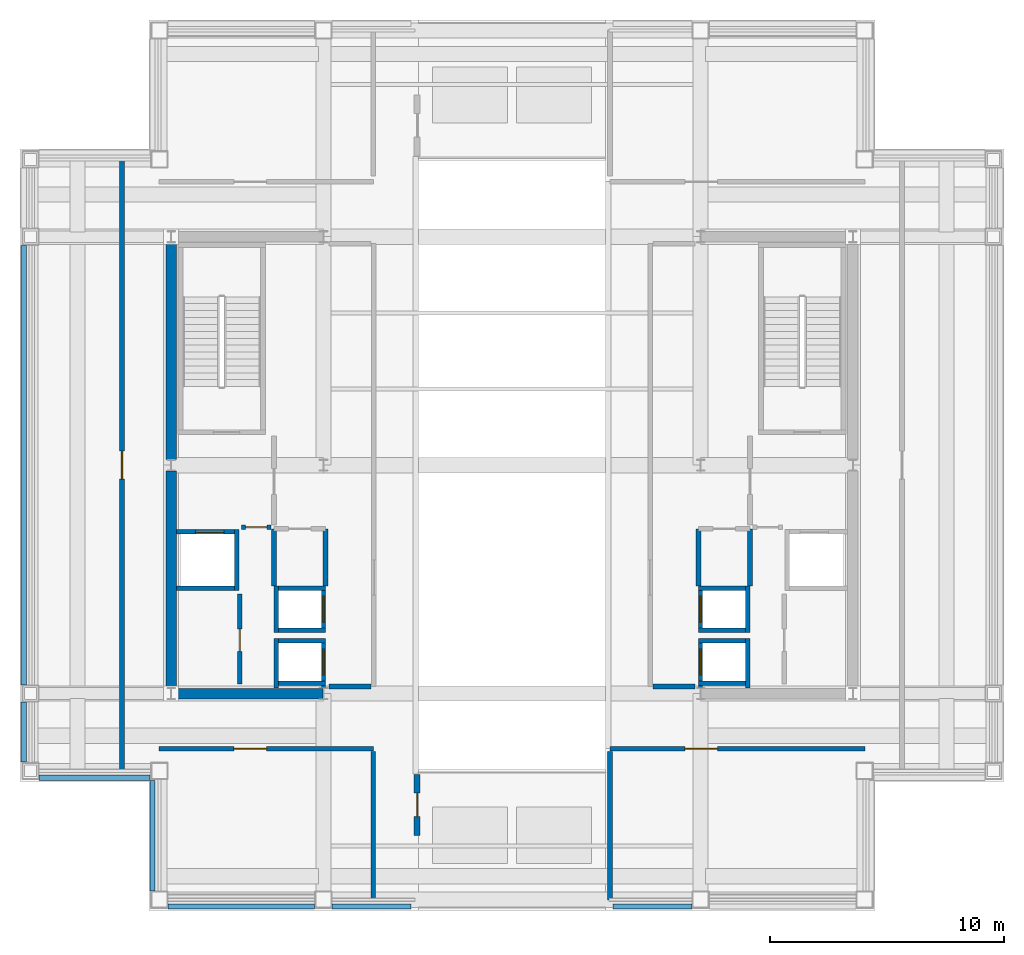
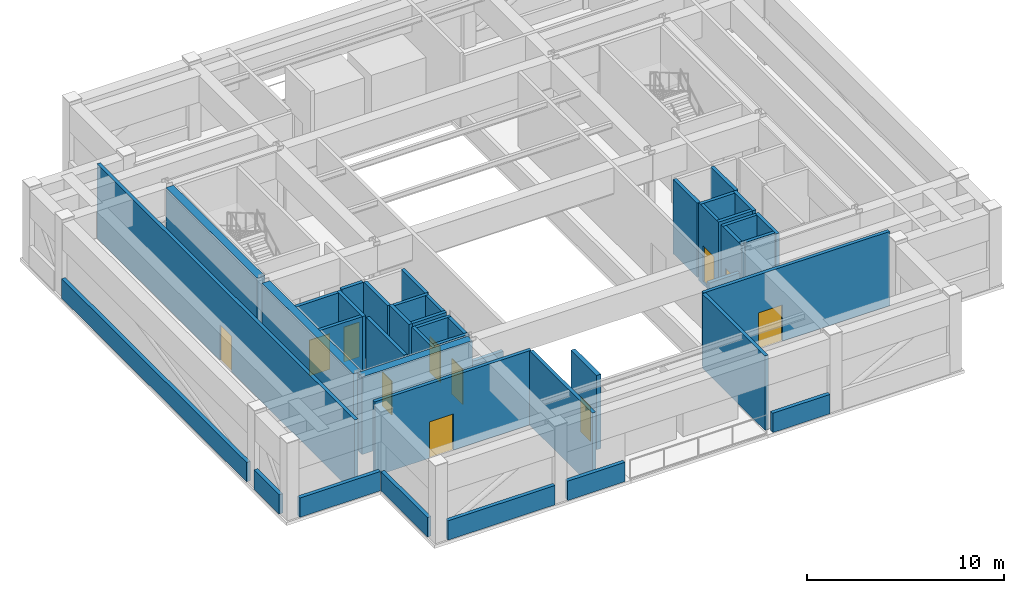
# One storey, part 3 of 8: 43 walls, 11 doors, 11 openings.
"""IFC4 building model written with IfcOpenShell, lengths in metres."""

from ifc_helpers import new_model, si_unit, direction, frame, frame_2d, origin, place, context, subcontext, project, spatial, rectangle, extrude, material, layer, layer_set, type_object, element, fill, save


model = new_model("IFC4")

# Units and contexts
model_context = context("Model", 3, precision=1e-05, world=origin(), true_north=direction((0.0, 1.0)))
body_context = subcontext(model_context, "Body", "Model", "MODEL_VIEW")
ifc_project = project(units=[si_unit("LENGTHUNIT", "METRE"), si_unit("AREAUNIT", "SQUARE_METRE"), si_unit("VOLUMEUNIT", "CUBIC_METRE"), si_unit("PLANEANGLEUNIT", "RADIAN"), si_unit("MASSUNIT", "GRAM", prefix="KILO")], contexts=[model_context])

# Site, building, storey
site_placement = place(None, origin())
site = spatial("IfcSite", under=ifc_project, at=site_placement, CompositionType="ELEMENT")
building_placement = place(site_placement, origin())
building = spatial("IfcBuilding", under=site, at=building_placement, Name="Brelmoor Portico Tower", CompositionType="ELEMENT")
storey_placement = place(building_placement, frame((0.0, 0.0, 209.10009765625)))
storey = spatial("IfcBuildingStorey", under=building, at=storey_placement, Name="L55", CompositionType="ELEMENT", Elevation=209.10009765625)

# Walls
ifc_material_1 = material(Name="Concrete C50", Category="concrete")
ifc_layer_1 = layer(ifc_material_1, 0.449951171875)
ifc_layer_set_1 = layer_set([ifc_layer_1], Name="Concrete C50")
wall_type_1 = type_object("IfcWallType", Name="WL-CORE-450", PredefinedType="SHEAR", material=ifc_layer_set_1)
wall_1_placement = place(storey_placement, frame((-14.530029296875, -9.75, -0.2001953125), z_axis=(0.0, 0.0, 1.0), x_axis=(1.0, 0.0, 0.0)))
element("IfcWall", 1, at=wall_1_placement, inside=storey, type_object=wall_type_1, Name="L55 WC South Shear Wall", PredefinedType="SHEAR", context=body_context, shape_type="SweptSolid", body=[
    extrude(rectangle(XDim=6.4599609375, YDim=0.449951171875, at=frame_2d((3.22998046875, 0.0))), origin(), (0.0, 0.0, 1.0), 4.800048828125),
])
for number, where, z_axis, x_axis, name in (
    (2, (-14.550048828125, -9.5, -0.2001953125), (0.0, 0.0, 1.0), (0.0, 1.0, 0.0), "L55 WC Outer South Shear Wall"),
    (3, (-14.550048828125, 0.25, -0.2001953125), (0.0, 0.0, 1.0), (0.0, 1.0, 0.0), "L55 WC Outer North Shear Wall"),
):
    element("IfcWall", number, at=place(storey_placement, frame(where, z_axis=z_axis, x_axis=x_axis)), inside=storey, type_object=wall_type_1, Name=name, PredefinedType="SHEAR", context=body_context, shape_type="SweptSolid", body=[
        extrude(rectangle(XDim=9.25, YDim=0.449951171875, at=frame_2d((4.625, 0.0))), origin(), (0.0, 0.0, 1.0), 4.800048828125),
    ])

# Wall, opening, door
ifc_material_2 = material(Name="Precast Concrete C40 Insulated Facade Wall", Category="concrete")
ifc_layer_2 = layer(ifc_material_2, 0.25)
ifc_layer_set_2 = layer_set([ifc_layer_2], Name="Precast Concrete C40 Insulated Facade Wall")
wall_type_2 = type_object("IfcWallType", Name="WL-EXT-250", PredefinedType="STANDARD", material=ifc_layer_set_2)
wall_2_placement = place(storey_placement, frame((-4.050048828125, -15.800048828125, 0.0), z_axis=(0.0, 0.0, 1.0), x_axis=(0.0, 1.0, 0.0)))
wall_2 = element("IfcWall", 4, at=wall_2_placement, inside=storey, type_object=wall_type_2, Name="L55 Turbine Deck Access Wall S", PredefinedType="STANDARD", context=body_context, shape_type="SweptSolid", body=[
    extrude(rectangle(XDim=2.60009765625, YDim=0.25, at=frame_2d((1.300048828125, 0.0))), origin(), (0.0, 0.0, 1.0), 4.599853515625),
])
opening_1_placement = place(wall_2_placement, frame((0.800048828125, 0.0, 0.0)))
opening_1 = element("IfcOpeningElement", 5, at=opening_1_placement, cuts=wall_2, Name="Opening D-DM1", PredefinedType="OPENING", context=body_context, shape_type="SweptSolid", body=[
    extrude(rectangle(XDim=1.0, YDim=2.14990234375, at=frame_2d((0.5, 1.074951171875))), frame((0.0, 0.135009765625, 0.0), z_axis=(0.0, -1.0, 0.0), x_axis=(1.0, 0.0, 0.0)), (0.0, 0.0, 1.0), 0.27001953125),
])
ifc_material_3 = material(Name="Weatherproof Galvanised Steel Deck Access Door", Category="steel")
door_type_1 = type_object("IfcDoorType", Name="DR-DECK-MAINT-1000", OperationType="NOTDEFINED", PredefinedType="DOOR", material=ifc_material_3)
door_1_placement = place(opening_1_placement, origin())
door_1 = element("IfcDoor", 6, at=door_1_placement, inside=storey, type_object=door_type_1, Name="D-2317 L55 Wind-Turbine Deck Maintenance Door S", OperationType="SINGLE_SWING_LEFT", OverallHeight=2.14990234375, OverallWidth=1.0, PredefinedType="DOOR", context=body_context, shape_type="SweptSolid", body=[
    extrude(rectangle(XDim=1.0, YDim=2.14990234375, at=frame_2d((0.5, 1.074951171875))), frame((0.0, 0.02490234375, 0.0), z_axis=(0.0, -1.0, 0.0), x_axis=(1.0, 0.0, 0.0)), (0.0, 0.0, 1.0), 0.050048828125),
])
fill(opening_1, door_1)

# Walls
ifc_material_4 = material(Name="Concrete C40 Parapet Upstand", Category="concrete")
ifc_layer_3 = layer(ifc_material_4, 0.219970703125)
ifc_layer_set_3 = layer_set([ifc_layer_3], Name="Concrete C40 Parapet Upstand")
wall_type_3 = type_object("IfcWallType", Name="WL-PARAPET-220", PredefinedType="PARAPET", material=ifc_layer_set_3)
wall_3_placement = place(storey_placement, frame((-14.679931640625, -18.840087890625, 0.0), z_axis=(0.0, 0.0, 1.0), x_axis=(1.0, 0.0, 0.0)))
element("IfcWall", 7, at=wall_3_placement, inside=storey, type_object=wall_type_3, Name="L55 Plant Louvre Perimeter Upstand 01", PredefinedType="PARAPET", context=body_context, shape_type="SweptSolid", body=[
    extrude(rectangle(XDim=6.260009765625, YDim=0.219970703125, at=frame_2d((3.1298828125, 0.0))), origin(), (0.0, 0.0, 1.0), 1.199951171875),
])
for number, where, z_axis, x_axis, name in (
    (8, (-7.679931640625, -18.840087890625, 0.0), (0.0, 0.0, 1.0), (1.0, 0.0, 0.0), "L55 Plant Louvre Perimeter Upstand 02"),
    (9, (4.320068359375, -18.840087890625, 0.0), (0.0, 0.0, 1.0), (1.0, 0.0, 0.0), "L55 Plant Louvre Perimeter Upstand 03"),
):
    element("IfcWall", number, at=place(storey_placement, frame(where, z_axis=z_axis, x_axis=x_axis)), inside=storey, type_object=wall_type_3, Name=name, PredefinedType="PARAPET", context=body_context, shape_type="SweptSolid", body=[
        extrude(rectangle(XDim=3.35986328125, YDim=0.219970703125, at=frame_2d((1.679931640625, 0.0))), origin(), (0.0, 0.0, 1.0), 1.199951171875),
    ])
wall_4_placement = place(storey_placement, frame((-20.840087890625, -12.679931640625, 0.0), z_axis=(0.0, 0.0, 1.0), x_axis=(0.0, 1.0, 0.0)))
element("IfcWall", 10, at=wall_4_placement, inside=storey, type_object=wall_type_3, Name="L55 Plant Louvre Perimeter Upstand 09", PredefinedType="PARAPET", context=body_context, shape_type="SweptSolid", body=[
    extrude(rectangle(XDim=2.559814453125, YDim=0.219970703125, at=frame_2d((1.27978515625, 0.0))), origin(), (0.0, 0.0, 1.0), 1.199951171875),
])
wall_5_placement = place(storey_placement, frame((-20.840087890625, -9.3798828125, 0.0), z_axis=(0.0, 0.0, 1.0), x_axis=(0.0, 1.0, 0.0)))
element("IfcWall", 11, at=wall_5_placement, inside=storey, type_object=wall_type_3, Name="L55 Plant Louvre Perimeter Upstand 10", PredefinedType="PARAPET", context=body_context, shape_type="SweptSolid", body=[
    extrude(rectangle(XDim=18.759765625, YDim=0.219970703125, at=frame_2d((9.3798828125, 0.0))), origin(), (0.0, 0.0, 1.0), 1.199951171875),
])
for number, where, z_axis, x_axis, name in (
    (12, (-15.340087890625, -18.179931640625, 0.0), (0.0, 0.0, 1.0), (0.0, 1.0, 0.0), "L55 Plant Louvre Perimeter Upstand 15"),
    (13, (-20.179931640625, -13.340087890625, 0.0), (0.0, 0.0, 1.0), (1.0, 0.0, 0.0), "L55 Plant Louvre Perimeter Upstand 16"),
):
    element("IfcWall", number, at=place(storey_placement, frame(where, z_axis=z_axis, x_axis=x_axis)), inside=storey, type_object=wall_type_3, Name=name, PredefinedType="PARAPET", context=body_context, shape_type="SweptSolid", body=[
        extrude(rectangle(XDim=4.719970703125, YDim=0.219970703125, at=frame_2d((2.35986328125, 0.0))), origin(), (0.0, 0.0, 1.0), 1.199951171875),
    ])
ifc_material_5 = material(Name="Double-Stud Gypsum Fire Partition", Category="gypsum")
ifc_layer_4 = layer(ifc_material_5, 0.199951171875)
ifc_layer_set_4 = layer_set([ifc_layer_4], Name="Double-Stud Gypsum Fire Partition")
wall_type_4 = type_object("IfcWallType", Name="WL-PART-200", PredefinedType="PARTITIONING", material=ifc_layer_set_4)
wall_6_placement = place(storey_placement, frame((-6.02001953125, -9.449951171875, 0.0), z_axis=(0.0, 0.0, 1.0), x_axis=(-1.0, 0.0, 0.0)))
element("IfcWall", 14, at=wall_6_placement, inside=storey, type_object=wall_type_4, Name="L55 W Lift Lobby South End Wall", PredefinedType="PARTITIONING", context=body_context, shape_type="SweptSolid", body=[
    extrude(rectangle(XDim=1.800048828125, YDim=0.199951171875, at=frame_2d((0.89990234375, 0.0))), origin(), (0.0, 0.0, 1.0), 2.9599609375),
])

# Wall, opening, door
wall_7_placement = place(storey_placement, frame((-10.280029296875, -2.64990234375, 0.0), z_axis=(0.0, 0.0, 1.0), x_axis=(-1.0, 0.0, 0.0)))
wall_7 = element("IfcWall", 15, at=wall_7_placement, inside=storey, type_object=wall_type_4, Name="L55 W Firefighting Lobby South Wall", PredefinedType="PARTITIONING", context=body_context, shape_type="SweptSolid", body=[
    extrude(rectangle(XDim=1.27001953125, YDim=0.199951171875, at=frame_2d((0.635009765625, 0.0))), origin(), (0.0, 0.0, 1.0), 4.599853515625),
])
opening_2_placement = place(wall_7_placement, frame((0.18505859375, 0.0, 0.0)))
opening_2 = element("IfcOpeningElement", 16, at=opening_2_placement, cuts=wall_7, Name="Opening D-IN1", PredefinedType="OPENING", context=body_context, shape_type="SweptSolid", body=[
    extrude(rectangle(XDim=0.89990234375, YDim=2.14990234375, at=frame_2d((0.449951171875, 1.074951171875))), frame((0.0, 0.10986328125, 0.0), z_axis=(0.0, -1.0, 0.0), x_axis=(1.0, 0.0, 0.0)), (0.0, 0.0, 1.0), 0.219970703125),
])
ifc_material_6 = material(Name="Lacquered Timber Suite Door", Category="wood")
door_type_2 = type_object("IfcDoorType", Name="DR-INT-900", OperationType="NOTDEFINED", PredefinedType="DOOR", material=ifc_material_6)
door_2_placement = place(opening_2_placement, origin())
door_2 = element("IfcDoor", 17, at=door_2_placement, inside=storey, type_object=door_type_2, Name="D-2303 L55 W Core Service Vestibule Door", OperationType="SINGLE_SWING_LEFT", OverallHeight=2.14990234375, OverallWidth=0.89990234375, PredefinedType="DOOR", context=body_context, shape_type="SweptSolid", body=[
    extrude(rectangle(XDim=0.89990234375, YDim=2.14990234375, at=frame_2d((0.449951171875, 1.074951171875))), frame((0.0, 0.02490234375, 0.0), z_axis=(0.0, -1.0, 0.0), x_axis=(1.0, 0.0, 0.0)), (0.0, 0.0, 1.0), 0.050048828125),
])
fill(opening_2, door_2)

# Walls
for number, where, z_axis, x_axis, name in (
    (18, (-7.9599609375, -5.159912109375, 0.0), (0.0, 0.0, 1.0), (0.0, 1.0, 0.0), "L55 W Electrical Switchgear Closet Inner Wall"),
    (19, (-10.159912109375, -5.159912109375, 0.0), (0.0, 0.0, 1.0), (0.0, 1.0, 0.0), "L55 W Electrical Switchgear Closet Outer Wall"),
):
    element("IfcWall", number, at=place(storey_placement, frame(where, z_axis=z_axis, x_axis=x_axis)), inside=storey, type_object=wall_type_4, Name=name, PredefinedType="PARTITIONING", context=body_context, shape_type="SweptSolid", body=[
        extrude(rectangle(XDim=2.43994140625, YDim=0.199951171875, at=frame_2d((1.219970703125, 0.0))), origin(), (0.0, 0.0, 1.0), 4.599853515625),
    ])

# Wall, opening, door
wall_8_placement = place(storey_placement, frame((-11.6201171875, -9.35009765625, 0.0), z_axis=(0.0, 0.0, 1.0), x_axis=(0.0, 1.0, 0.0)))
wall_8 = element("IfcWall", 20, at=wall_8_placement, inside=storey, type_object=wall_type_4, Name="L55 W Mechanical Equipment Closet Wall", PredefinedType="PARTITIONING", context=body_context, shape_type="SweptSolid", body=[
    extrude(rectangle(XDim=3.85009765625, YDim=0.199951171875, at=frame_2d((1.925048828125, 0.0))), origin(), (0.0, 0.0, 1.0), 4.599853515625),
])
opening_3_placement = place(wall_8_placement, frame((1.39990234375, 0.0, 0.0)))
opening_3 = element("IfcOpeningElement", 21, at=opening_3_placement, cuts=wall_8, Name="Opening D-FR4", PredefinedType="OPENING", context=body_context, shape_type="SweptSolid", body=[
    extrude(rectangle(XDim=0.949951171875, YDim=2.10009765625, at=frame_2d((0.47509765625, 1.050048828125))), frame((0.0, 0.10986328125, 0.0), z_axis=(0.0, -1.0, 0.0), x_axis=(1.0, 0.0, 0.0)), (0.0, 0.0, 1.0), 0.219970703125),
])
ifc_material_7 = material(Name="Painted Galvanised Steel Riser Door", Category="steel")
door_type_3 = type_object("IfcDoorType", Name="DR-FIRE-950", OperationType="NOTDEFINED", PredefinedType="DOOR", material=ifc_material_7)
door_3_placement = place(opening_3_placement, origin())
door_3 = element("IfcDoor", 22, at=door_3_placement, inside=storey, type_object=door_type_3, Name="D-2301 L55 W Mechanical Equipment Closet Door", OperationType="SINGLE_SWING_LEFT", OverallHeight=2.10009765625, OverallWidth=0.949951171875, PredefinedType="DOOR", context=body_context, shape_type="SweptSolid", body=[
    extrude(rectangle(XDim=0.949951171875, YDim=2.10009765625, at=frame_2d((0.47509765625, 1.050048828125))), frame((0.0, 0.02490234375, 0.0), z_axis=(0.0, -1.0, 0.0), x_axis=(1.0, 0.0, 0.0)), (0.0, 0.0, 1.0), 0.050048828125),
])
fill(opening_3, door_3)

# Walls
wall_9_placement = place(storey_placement, frame((6.02001953125, -9.449951171875, 0.0), z_axis=(0.0, 0.0, 1.0), x_axis=(1.0, 0.0, 0.0)))
element("IfcWall", 23, at=wall_9_placement, inside=storey, type_object=wall_type_4, Name="L55 E Lift Lobby South End Wall", PredefinedType="PARTITIONING", context=body_context, shape_type="SweptSolid", body=[
    extrude(rectangle(XDim=1.800048828125, YDim=0.199951171875, at=frame_2d((0.89990234375, 0.0))), origin(), (0.0, 0.0, 1.0), 2.9599609375),
])
for number, where, z_axis, x_axis, name in (
    (24, (7.9599609375, -5.159912109375, 0.0), (0.0, 0.0, 1.0), (0.0, 1.0, 0.0), "L55 E Electrical Switchgear Closet Inner Wall"),
    (25, (10.159912109375, -5.159912109375, 0.0), (0.0, 0.0, 1.0), (0.0, 1.0, 0.0), "L55 E Electrical Switchgear Closet Outer Wall"),
):
    element("IfcWall", number, at=place(storey_placement, frame(where, z_axis=z_axis, x_axis=x_axis)), inside=storey, type_object=wall_type_4, Name=name, PredefinedType="PARTITIONING", context=body_context, shape_type="SweptSolid", body=[
        extrude(rectangle(XDim=2.43994140625, YDim=0.199951171875, at=frame_2d((1.219970703125, 0.0))), origin(), (0.0, 0.0, 1.0), 4.599853515625),
    ])

# Wall, opening, door
wall_10_placement = place(storey_placement, frame((-16.64990234375, -13.070068359375, 0.0), z_axis=(0.0, 0.0, 1.0), x_axis=(0.0, 1.0, 0.0)))
wall_10 = element("IfcWall", 26, at=wall_10_placement, inside=storey, type_object=wall_type_4, Name="L55 Pressurised Refuge Area West Fire Wall", PredefinedType="PARTITIONING", context=body_context, shape_type="SweptSolid", body=[
    extrude(rectangle(XDim=26.14013671875, YDim=0.199951171875, at=frame_2d((13.070068359375, 0.0))), origin(), (0.0, 0.0, 1.0), 4.599853515625),
])
opening_4_placement = place(wall_10_placement, frame((12.469970703125, 0.0, 0.0)))
opening_4 = element("IfcOpeningElement", 27, at=opening_4_placement, cuts=wall_10, Name="Opening D-FR3", PredefinedType="OPENING", context=body_context, shape_type="SweptSolid", body=[
    extrude(rectangle(XDim=1.199951171875, YDim=2.219970703125, at=frame_2d((0.60009765625, 1.10986328125))), frame((0.0, 0.10986328125, 0.0), z_axis=(0.0, -1.0, 0.0), x_axis=(1.0, 0.0, 0.0)), (0.0, 0.0, 1.0), 0.219970703125),
])
ifc_material_8 = material(Name="Painted Galvanised Steel Fire Door", Category="steel")
door_type_4 = type_object("IfcDoorType", Name="DR-FIRE-1200", OperationType="NOTDEFINED", PredefinedType="DOOR", material=ifc_material_8)
door_4_placement = place(opening_4_placement, origin())
door_4 = element("IfcDoor", 28, at=door_4_placement, inside=storey, type_object=door_type_4, Name="D-2315 L55 Pressurised Refuge Area West Door", OperationType="SINGLE_SWING_RIGHT", OverallHeight=2.219970703125, OverallWidth=1.199951171875, PredefinedType="DOOR", context=body_context, shape_type="SweptSolid", body=[
    extrude(rectangle(XDim=1.199951171875, YDim=2.219970703125, at=frame_2d((0.60009765625, 1.10986328125))), frame((0.0, 0.02490234375, 0.0), z_axis=(0.0, -1.0, 0.0), x_axis=(1.0, 0.0, 0.0)), (0.0, 0.0, 1.0), 0.050048828125),
])
fill(opening_4, door_4)

wall_11_placement = place(storey_placement, frame((-15.070068359375, -12.10009765625, 0.0), z_axis=(0.0, 0.0, 1.0), x_axis=(1.0, 0.0, 0.0)))
wall_11 = element("IfcWall", 29, at=wall_11_placement, inside=storey, type_object=wall_type_4, Name="L55 Smoke Extract Fan Plant Wall", PredefinedType="PARTITIONING", context=body_context, shape_type="SweptSolid", body=[
    extrude(rectangle(XDim=9.150146484375, YDim=0.199951171875, at=frame_2d((4.5751953125, 0.0))), origin(), (0.0, 0.0, 1.0), 4.599853515625),
])
opening_5_placement = place(wall_11_placement, frame((3.199951171875, 0.0, 0.0)))
opening_5 = element("IfcOpeningElement", 30, at=opening_5_placement, cuts=wall_11, Name="Opening D-PL1", PredefinedType="OPENING", context=body_context, shape_type="SweptSolid", body=[
    extrude(rectangle(XDim=1.39990234375, YDim=2.25, at=frame_2d((0.699951171875, 1.125))), frame((0.0, 0.10986328125, 0.0), z_axis=(0.0, -1.0, 0.0), x_axis=(1.0, 0.0, 0.0)), (0.0, 0.0, 1.0), 0.219970703125),
])
ifc_material_9 = material(Name="Double-Leaf Acoustic Steel Plant Door", Category="steel")
door_type_5 = type_object("IfcDoorType", Name="DR-PLANT-1400", OperationType="NOTDEFINED", PredefinedType="DOOR", material=ifc_material_9)
door_5_placement = place(opening_5_placement, origin())
door_5 = element("IfcDoor", 31, at=door_5_placement, inside=storey, type_object=door_type_5, Name="D-2313 L55 Smoke Extract Fan Plant Door", OperationType="DOUBLE_DOOR_SINGLE_SWING", OverallHeight=2.25, OverallWidth=1.39990234375, PredefinedType="DOOR", context=body_context, shape_type="SweptSolid", body=[
    extrude(rectangle(XDim=1.39990234375, YDim=2.25, at=frame_2d((0.699951171875, 1.125))), frame((0.0, 0.02490234375, 0.0), z_axis=(0.0, -1.0, 0.0), x_axis=(1.0, 0.0, 0.0)), (0.0, 0.0, 1.0), 0.050048828125),
])
fill(opening_5, door_5)

# Wall
wall_12_placement = place(storey_placement, frame((-5.919921875, -18.570068359375, 0.0), z_axis=(0.0, 0.0, 1.0), x_axis=(0.0, 1.0, 0.0)))
element("IfcWall", 32, at=wall_12_placement, inside=storey, type_object=wall_type_4, Name="L55 SW Slot End Wall", PredefinedType="PARTITIONING", context=body_context, shape_type="SweptSolid", body=[
    extrude(rectangle(XDim=6.35009765625, YDim=0.199951171875, at=frame_2d((3.175048828125, 0.0))), origin(), (0.0, 0.0, 1.0), 4.599853515625),
])

# Wall, opening, door
wall_13_placement = place(storey_placement, frame((4.179931640625, -12.10009765625, 0.0), z_axis=(0.0, 0.0, 1.0), x_axis=(1.0, 0.0, 0.0)))
wall_13 = element("IfcWall", 33, at=wall_13_placement, inside=storey, type_object=wall_type_4, Name="L55 Turbine Power Conditioning and Switchgear Wall", PredefinedType="PARTITIONING", context=body_context, shape_type="SweptSolid", body=[
    extrude(rectangle(XDim=10.89013671875, YDim=0.199951171875, at=frame_2d((5.445068359375, 0.0))), origin(), (0.0, 0.0, 1.0), 4.599853515625),
])
opening_6_placement = place(wall_13_placement, frame((3.199951171875, 0.0, 0.0)))
opening_6 = element("IfcOpeningElement", 34, at=opening_6_placement, cuts=wall_13, Name="Opening D-PL1", PredefinedType="OPENING", context=body_context, shape_type="SweptSolid", body=[
    extrude(rectangle(XDim=1.39990234375, YDim=2.25, at=frame_2d((0.699951171875, 1.125))), frame((0.0, 0.10986328125, 0.0), z_axis=(0.0, -1.0, 0.0), x_axis=(1.0, 0.0, 0.0)), (0.0, 0.0, 1.0), 0.219970703125),
])
door_6_placement = place(opening_6_placement, origin())
door_6 = element("IfcDoor", 35, at=door_6_placement, inside=storey, type_object=door_type_5, Name="D-2312 L55 Turbine Power Conditioning and Switchgear Door", OperationType="DOUBLE_DOOR_SINGLE_SWING", OverallHeight=2.25, OverallWidth=1.39990234375, PredefinedType="DOOR", context=body_context, shape_type="SweptSolid", body=[
    extrude(rectangle(XDim=1.39990234375, YDim=2.25, at=frame_2d((0.699951171875, 1.125))), frame((0.0, 0.02490234375, 0.0), z_axis=(0.0, -1.0, 0.0), x_axis=(1.0, 0.0, 0.0)), (0.0, 0.0, 1.0), 0.050048828125),
])
fill(opening_6, door_6)

# Wall
wall_14_placement = place(storey_placement, frame((4.179931640625, -18.570068359375, 0.0), z_axis=(0.0, 0.0, 1.0), x_axis=(0.0, 1.0, 0.0)))
element("IfcWall", 36, at=wall_14_placement, inside=storey, type_object=wall_type_4, Name="L55 SE Slot End Wall", PredefinedType="PARTITIONING", context=body_context, shape_type="SweptSolid", body=[
    extrude(rectangle(XDim=6.35009765625, YDim=0.199951171875, at=frame_2d((3.175048828125, 0.0))), origin(), (0.0, 0.0, 1.0), 4.599853515625),
])

# Wall, opening, door
ifc_material_10 = material(Name="Precast Concrete C40", Category="concrete")
ifc_layer_5 = layer(ifc_material_10, 0.18994140625)
ifc_layer_set_5 = layer_set([ifc_layer_5], Name="Precast Concrete C40")
wall_type_5 = type_object("IfcWallType", Name="WL-SHAFT-180", PredefinedType="SOLIDWALL", material=ifc_layer_set_5)
wall_15_placement = place(storey_placement, frame((-8.044921875, -9.52001953125, -0.2001953125), z_axis=(0.0, 0.0, 1.0), x_axis=(0.0, 1.0, 0.0)))
wall_15 = element("IfcWall", 37, at=wall_15_placement, inside=storey, type_object=wall_type_5, Name="L55 Lift PH1 Hoistway Front Wall", PredefinedType="SOLIDWALL", context=body_context, shape_type="SweptSolid", body=[
    extrude(rectangle(XDim=2.1201171875, YDim=0.18994140625, at=frame_2d((1.06005859375, 0.0))), origin(), (0.0, 0.0, 1.0), 4.800048828125),
])
opening_7_placement = place(wall_15_placement, frame((0.570068359375, 0.0, 0.199951171875)))
opening_7 = element("IfcOpeningElement", 38, at=opening_7_placement, cuts=wall_15, Name="Opening LD-01", PredefinedType="OPENING", context=body_context, shape_type="SweptSolid", body=[
    extrude(rectangle(XDim=1.10009765625, YDim=2.199951171875, at=frame_2d((0.550048828125, 1.10009765625))), frame((0.0, 0.10498046875, 0.0), z_axis=(0.0, -1.0, 0.0), x_axis=(1.0, 0.0, 0.0)), (0.0, 0.0, 1.0), 0.2099609375),
])
ifc_material_11 = material(Name="Brushed Stainless Steel Sliding Lift Door", Category="steel")
door_type_6 = type_object("IfcDoorType", Name="DR-LIFT-1100", OperationType="NOTDEFINED", PredefinedType="DOOR", material=ifc_material_11)
door_7_placement = place(opening_7_placement, origin())
door_7 = element("IfcDoor", 39, at=door_7_placement, inside=storey, type_object=door_type_6, Name="D-2322 L55 Lift PH1 Sliding Landing Door", OperationType="SLIDING_TO_LEFT", OverallHeight=2.199951171875, OverallWidth=1.10009765625, PredefinedType="DOOR", context=body_context, shape_type="SweptSolid", body=[
    extrude(rectangle(XDim=1.10009765625, YDim=2.199951171875, at=frame_2d((0.550048828125, 1.10009765625))), frame((0.0, 0.02490234375, 0.0), z_axis=(0.0, -1.0, 0.0), x_axis=(1.0, 0.0, 0.0)), (0.0, 0.0, 1.0), 0.050048828125),
])
fill(opening_7, door_7)

# Walls
wall_16_placement = place(storey_placement, frame((-10.054931640625, -9.52001953125, -0.2001953125), z_axis=(0.0, 0.0, 1.0), x_axis=(0.0, 1.0, 0.0)))
element("IfcWall", 40, at=wall_16_placement, inside=storey, type_object=wall_type_5, Name="L55 Lift PH1 Hoistway Back Wall", PredefinedType="SOLIDWALL", context=body_context, shape_type="SweptSolid", body=[
    extrude(rectangle(XDim=2.1201171875, YDim=0.18994140625, at=frame_2d((1.06005859375, 0.0))), origin(), (0.0, 0.0, 1.0), 4.800048828125),
])
for number, where, z_axis, x_axis, name in (
    (41, (-10.14990234375, -7.4951171875, -0.2001953125), (0.0, 0.0, 1.0), (1.0, 0.0, 0.0), "L55 Lift PH1 Hoistway North Wall"),
    (42, (-10.14990234375, -9.304931640625, -0.2001953125), (0.0, 0.0, 1.0), (1.0, 0.0, 0.0), "L55 Lift PH1 Hoistway South Wall"),
):
    element("IfcWall", number, at=place(storey_placement, frame(where, z_axis=z_axis, x_axis=x_axis)), inside=storey, type_object=wall_type_5, Name=name, PredefinedType="SOLIDWALL", context=body_context, shape_type="SweptSolid", body=[
        extrude(rectangle(XDim=2.199951171875, YDim=0.18994140625, at=frame_2d((1.10009765625, 0.0))), origin(), (0.0, 0.0, 1.0), 4.800048828125),
    ])

# Wall, opening, door
wall_17_placement = place(storey_placement, frame((-8.044921875, -7.14990234375, -0.2001953125), z_axis=(0.0, 0.0, 1.0), x_axis=(0.0, 1.0, 0.0)))
wall_17 = element("IfcWall", 43, at=wall_17_placement, inside=storey, type_object=wall_type_5, Name="L55 Lift PH2 Hoistway Front Wall", PredefinedType="SOLIDWALL", context=body_context, shape_type="SweptSolid", body=[
    extrude(rectangle(XDim=2.0, YDim=0.18994140625, at=frame_2d((1.0, 0.0))), origin(), (0.0, 0.0, 1.0), 4.800048828125),
])
opening_8_placement = place(wall_17_placement, frame((0.449951171875, 0.0, 0.199951171875)))
opening_8 = element("IfcOpeningElement", 44, at=opening_8_placement, cuts=wall_17, Name="Opening LD-01", PredefinedType="OPENING", context=body_context, shape_type="SweptSolid", body=[
    extrude(rectangle(XDim=1.10009765625, YDim=2.199951171875, at=frame_2d((0.550048828125, 1.10009765625))), frame((0.0, 0.10498046875, 0.0), z_axis=(0.0, -1.0, 0.0), x_axis=(1.0, 0.0, 0.0)), (0.0, 0.0, 1.0), 0.2099609375),
])
door_8_placement = place(opening_8_placement, origin())
door_8 = element("IfcDoor", 45, at=door_8_placement, inside=storey, type_object=door_type_6, Name="D-2323 L55 Lift PH2 Sliding Landing Door", OperationType="SLIDING_TO_LEFT", OverallHeight=2.199951171875, OverallWidth=1.10009765625, PredefinedType="DOOR", context=body_context, shape_type="SweptSolid", body=[
    extrude(rectangle(XDim=1.10009765625, YDim=2.199951171875, at=frame_2d((0.550048828125, 1.10009765625))), frame((0.0, 0.02490234375, 0.0), z_axis=(0.0, -1.0, 0.0), x_axis=(1.0, 0.0, 0.0)), (0.0, 0.0, 1.0), 0.050048828125),
])
fill(opening_8, door_8)

# Walls
wall_18_placement = place(storey_placement, frame((-10.054931640625, -7.14990234375, -0.2001953125), z_axis=(0.0, 0.0, 1.0), x_axis=(0.0, 1.0, 0.0)))
element("IfcWall", 46, at=wall_18_placement, inside=storey, type_object=wall_type_5, Name="L55 Lift PH2 Hoistway Back Wall", PredefinedType="SOLIDWALL", context=body_context, shape_type="SweptSolid", body=[
    extrude(rectangle(XDim=2.0, YDim=0.18994140625, at=frame_2d((1.0, 0.0))), origin(), (0.0, 0.0, 1.0), 4.800048828125),
])
for number, where, z_axis, x_axis, name in (
    (47, (-10.14990234375, -5.2451171875, -0.2001953125), (0.0, 0.0, 1.0), (1.0, 0.0, 0.0), "L55 Lift PH2 Hoistway North Wall"),
    (48, (-10.14990234375, -7.054931640625, -0.2001953125), (0.0, 0.0, 1.0), (1.0, 0.0, 0.0), "L55 Lift PH2 Hoistway South Wall"),
):
    element("IfcWall", number, at=place(storey_placement, frame(where, z_axis=z_axis, x_axis=x_axis)), inside=storey, type_object=wall_type_5, Name=name, PredefinedType="SOLIDWALL", context=body_context, shape_type="SweptSolid", body=[
        extrude(rectangle(XDim=2.199951171875, YDim=0.18994140625, at=frame_2d((1.10009765625, 0.0))), origin(), (0.0, 0.0, 1.0), 4.800048828125),
    ])

# Wall, opening, door
wall_19_placement = place(storey_placement, frame((8.044921875, -9.52001953125, -0.2001953125), z_axis=(0.0, 0.0, 1.0), x_axis=(0.0, 1.0, 0.0)))
wall_19 = element("IfcWall", 49, at=wall_19_placement, inside=storey, type_object=wall_type_5, Name="L55 Lift PH3 Hoistway Front Wall", PredefinedType="SOLIDWALL", context=body_context, shape_type="SweptSolid", body=[
    extrude(rectangle(XDim=2.1201171875, YDim=0.18994140625, at=frame_2d((1.06005859375, 0.0))), origin(), (0.0, 0.0, 1.0), 4.800048828125),
])
opening_9_placement = place(wall_19_placement, frame((0.570068359375, 0.0, 0.199951171875)))
opening_9 = element("IfcOpeningElement", 50, at=opening_9_placement, cuts=wall_19, Name="Opening LD-01", PredefinedType="OPENING", context=body_context, shape_type="SweptSolid", body=[
    extrude(rectangle(XDim=1.10009765625, YDim=2.199951171875, at=frame_2d((0.550048828125, 1.10009765625))), frame((0.0, 0.10498046875, 0.0), z_axis=(0.0, -1.0, 0.0), x_axis=(1.0, 0.0, 0.0)), (0.0, 0.0, 1.0), 0.2099609375),
])
door_9_placement = place(opening_9_placement, origin())
door_9 = element("IfcDoor", 51, at=door_9_placement, inside=storey, type_object=door_type_6, Name="D-2324 L55 Lift PH3 Sliding Landing Door", OperationType="SLIDING_TO_LEFT", OverallHeight=2.199951171875, OverallWidth=1.10009765625, PredefinedType="DOOR", context=body_context, shape_type="SweptSolid", body=[
    extrude(rectangle(XDim=1.10009765625, YDim=2.199951171875, at=frame_2d((0.550048828125, 1.10009765625))), frame((0.0, 0.02490234375, 0.0), z_axis=(0.0, -1.0, 0.0), x_axis=(1.0, 0.0, 0.0)), (0.0, 0.0, 1.0), 0.050048828125),
])
fill(opening_9, door_9)

# Walls
wall_20_placement = place(storey_placement, frame((10.054931640625, -9.52001953125, -0.2001953125), z_axis=(0.0, 0.0, 1.0), x_axis=(0.0, 1.0, 0.0)))
element("IfcWall", 52, at=wall_20_placement, inside=storey, type_object=wall_type_5, Name="L55 Lift PH3 Hoistway Back Wall", PredefinedType="SOLIDWALL", context=body_context, shape_type="SweptSolid", body=[
    extrude(rectangle(XDim=2.1201171875, YDim=0.18994140625, at=frame_2d((1.06005859375, 0.0))), origin(), (0.0, 0.0, 1.0), 4.800048828125),
])
for number, where, z_axis, x_axis, name in (
    (53, (7.949951171875, -7.4951171875, -0.2001953125), (0.0, 0.0, 1.0), (1.0, 0.0, 0.0), "L55 Lift PH3 Hoistway North Wall"),
    (54, (7.949951171875, -9.304931640625, -0.2001953125), (0.0, 0.0, 1.0), (1.0, 0.0, 0.0), "L55 Lift PH3 Hoistway South Wall"),
):
    element("IfcWall", number, at=place(storey_placement, frame(where, z_axis=z_axis, x_axis=x_axis)), inside=storey, type_object=wall_type_5, Name=name, PredefinedType="SOLIDWALL", context=body_context, shape_type="SweptSolid", body=[
        extrude(rectangle(XDim=2.199951171875, YDim=0.18994140625, at=frame_2d((1.10009765625, 0.0))), origin(), (0.0, 0.0, 1.0), 4.800048828125),
    ])

# Wall, opening, door
wall_21_placement = place(storey_placement, frame((8.044921875, -7.14990234375, -0.2001953125), z_axis=(0.0, 0.0, 1.0), x_axis=(0.0, 1.0, 0.0)))
wall_21 = element("IfcWall", 55, at=wall_21_placement, inside=storey, type_object=wall_type_5, Name="L55 Lift PH4 Hoistway Front Wall", PredefinedType="SOLIDWALL", context=body_context, shape_type="SweptSolid", body=[
    extrude(rectangle(XDim=2.0, YDim=0.18994140625, at=frame_2d((1.0, 0.0))), origin(), (0.0, 0.0, 1.0), 4.800048828125),
])
opening_10_placement = place(wall_21_placement, frame((0.449951171875, 0.0, 0.199951171875)))
opening_10 = element("IfcOpeningElement", 56, at=opening_10_placement, cuts=wall_21, Name="Opening LD-01", PredefinedType="OPENING", context=body_context, shape_type="SweptSolid", body=[
    extrude(rectangle(XDim=1.10009765625, YDim=2.199951171875, at=frame_2d((0.550048828125, 1.10009765625))), frame((0.0, 0.10498046875, 0.0), z_axis=(0.0, -1.0, 0.0), x_axis=(1.0, 0.0, 0.0)), (0.0, 0.0, 1.0), 0.2099609375),
])
door_10_placement = place(opening_10_placement, origin())
door_10 = element("IfcDoor", 57, at=door_10_placement, inside=storey, type_object=door_type_6, Name="D-2325 L55 Lift PH4 Sliding Landing Door", OperationType="SLIDING_TO_LEFT", OverallHeight=2.199951171875, OverallWidth=1.10009765625, PredefinedType="DOOR", context=body_context, shape_type="SweptSolid", body=[
    extrude(rectangle(XDim=1.10009765625, YDim=2.199951171875, at=frame_2d((0.550048828125, 1.10009765625))), frame((0.0, 0.02490234375, 0.0), z_axis=(0.0, -1.0, 0.0), x_axis=(1.0, 0.0, 0.0)), (0.0, 0.0, 1.0), 0.050048828125),
])
fill(opening_10, door_10)

# Walls
wall_22_placement = place(storey_placement, frame((10.054931640625, -7.14990234375, -0.2001953125), z_axis=(0.0, 0.0, 1.0), x_axis=(0.0, 1.0, 0.0)))
element("IfcWall", 58, at=wall_22_placement, inside=storey, type_object=wall_type_5, Name="L55 Lift PH4 Hoistway Back Wall", PredefinedType="SOLIDWALL", context=body_context, shape_type="SweptSolid", body=[
    extrude(rectangle(XDim=2.0, YDim=0.18994140625, at=frame_2d((1.0, 0.0))), origin(), (0.0, 0.0, 1.0), 4.800048828125),
])
for number, where, z_axis, x_axis, name in (
    (59, (7.949951171875, -5.2451171875, -0.2001953125), (0.0, 0.0, 1.0), (1.0, 0.0, 0.0), "L55 Lift PH4 Hoistway North Wall"),
    (60, (7.949951171875, -7.054931640625, -0.2001953125), (0.0, 0.0, 1.0), (1.0, 0.0, 0.0), "L55 Lift PH4 Hoistway South Wall"),
):
    element("IfcWall", number, at=place(storey_placement, frame(where, z_axis=z_axis, x_axis=x_axis)), inside=storey, type_object=wall_type_5, Name=name, PredefinedType="SOLIDWALL", context=body_context, shape_type="SweptSolid", body=[
        extrude(rectangle(XDim=2.199951171875, YDim=0.18994140625, at=frame_2d((1.10009765625, 0.0))), origin(), (0.0, 0.0, 1.0), 4.800048828125),
    ])

# Wall, opening, door
wall_23_placement = place(storey_placement, frame((-14.330078125, -2.844970703125, -0.2001953125), z_axis=(0.0, 0.0, 1.0), x_axis=(1.0, 0.0, 0.0)))
wall_23 = element("IfcWall", 61, at=wall_23_placement, inside=storey, type_object=wall_type_5, Name="L55 Lift FF1 Hoistway Front Wall", PredefinedType="SOLIDWALL", context=body_context, shape_type="SweptSolid", body=[
    extrude(rectangle(XDim=2.68017578125, YDim=0.18994140625, at=frame_2d((1.340087890625, 0.0))), origin(), (0.0, 0.0, 1.0), 4.800048828125),
])
opening_11_placement = place(wall_23_placement, frame((0.830078125, 0.0, 0.199951171875)))
opening_11 = element("IfcOpeningElement", 62, at=opening_11_placement, cuts=wall_23, Name="Opening LD-02", PredefinedType="OPENING", context=body_context, shape_type="SweptSolid", body=[
    extrude(rectangle(XDim=1.199951171875, YDim=2.199951171875, at=frame_2d((0.60009765625, 1.10009765625))), frame((0.0, 0.10498046875, 0.0), z_axis=(0.0, -1.0, 0.0), x_axis=(1.0, 0.0, 0.0)), (0.0, 0.0, 1.0), 0.2099609375),
])
ifc_material_12 = material(Name="Brushed Stainless Steel Firefighting Lift Door", Category="steel")
door_type_7 = type_object("IfcDoorType", Name="DR-LIFT-1200", OperationType="NOTDEFINED", PredefinedType="DOOR", material=ifc_material_12)
door_11_placement = place(opening_11_placement, origin())
door_11 = element("IfcDoor", 63, at=door_11_placement, inside=storey, type_object=door_type_7, Name="D-2320 L55 Lift FF1 Sliding Landing Door", OperationType="SLIDING_TO_LEFT", OverallHeight=2.199951171875, OverallWidth=1.199951171875, PredefinedType="DOOR", context=body_context, shape_type="SweptSolid", body=[
    extrude(rectangle(XDim=1.199951171875, YDim=2.199951171875, at=frame_2d((0.60009765625, 1.10009765625))), frame((0.0, 0.02490234375, 0.0), z_axis=(0.0, -1.0, 0.0), x_axis=(1.0, 0.0, 0.0)), (0.0, 0.0, 1.0), 0.050048828125),
])
fill(opening_11, door_11)

# Walls
wall_24_placement = place(storey_placement, frame((-14.330078125, -5.2548828125, -0.2001953125), z_axis=(0.0, 0.0, 1.0), x_axis=(1.0, 0.0, 0.0)))
element("IfcWall", 64, at=wall_24_placement, inside=storey, type_object=wall_type_5, Name="L55 Firefighting Lift FF1 South Wall", PredefinedType="SOLIDWALL", context=body_context, shape_type="SweptSolid", body=[
    extrude(rectangle(XDim=2.68017578125, YDim=0.18994140625, at=frame_2d((1.340087890625, 0.0))), origin(), (0.0, 0.0, 1.0), 4.800048828125),
])
wall_25_placement = place(storey_placement, frame((-11.7451171875, -5.35009765625, -0.2001953125), z_axis=(0.0, 0.0, 1.0), x_axis=(0.0, 1.0, 0.0)))
element("IfcWall", 65, at=wall_25_placement, inside=storey, type_object=wall_type_5, Name="L55 Firefighting Lift FF1 Inner Wall", PredefinedType="SOLIDWALL", context=body_context, shape_type="SweptSolid", body=[
    extrude(rectangle(XDim=2.60009765625, YDim=0.18994140625, at=frame_2d((1.300048828125, 0.0))), origin(), (0.0, 0.0, 1.0), 4.800048828125),
])

save(model, "model.ifc")
